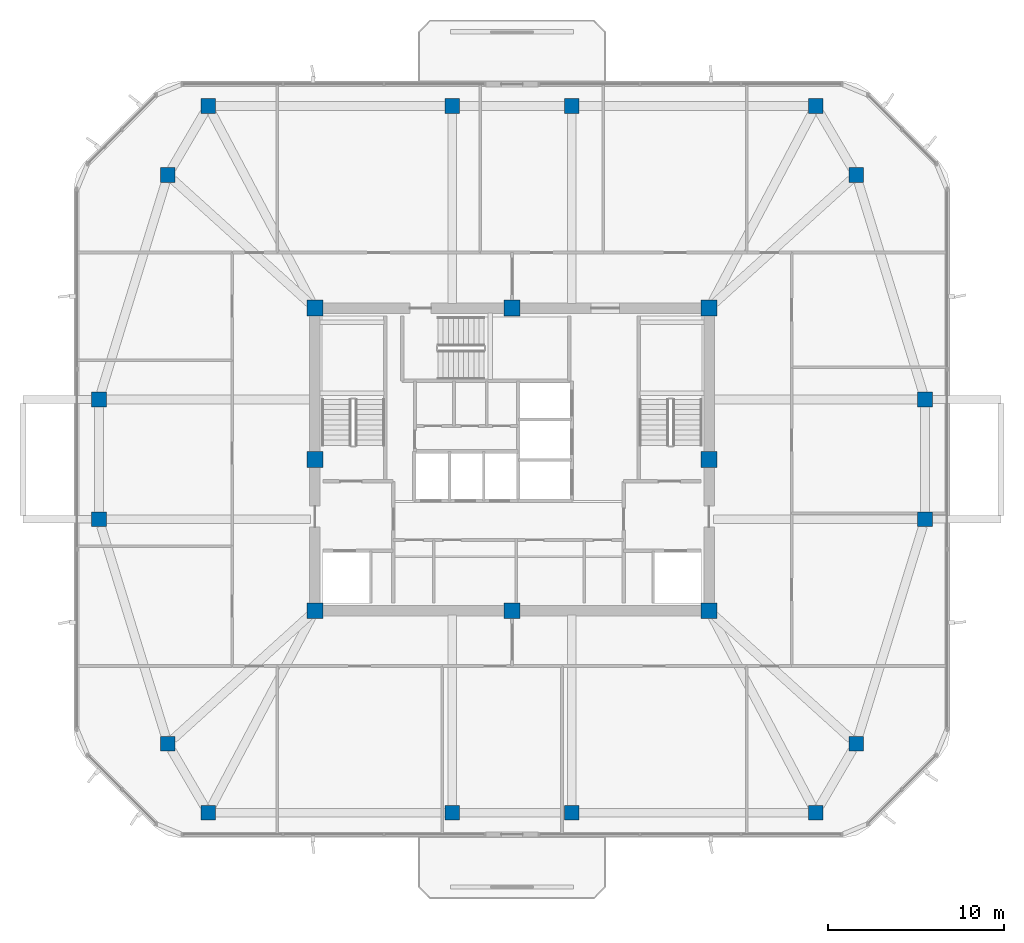
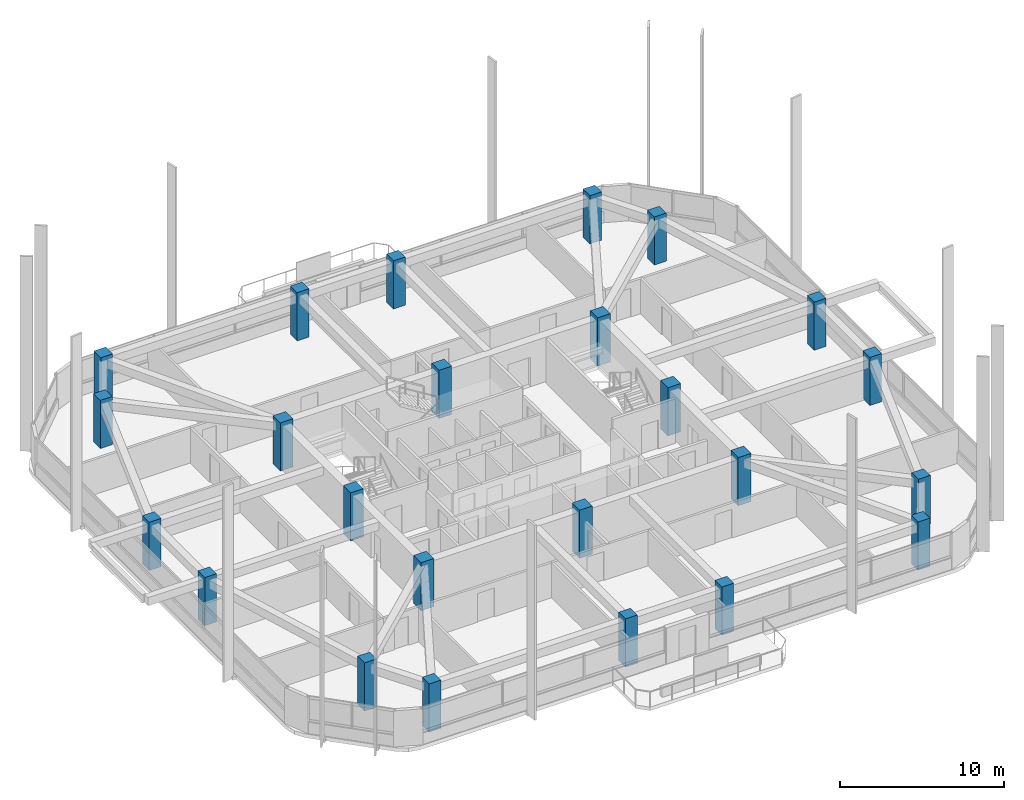
# One storey, part 1 of 13: 24 columns.
"""IFC4 building model written with IfcOpenShell, lengths in metres."""

from ifc_helpers import new_model, si_unit, derived_unit, direction, frame, origin, origin_2d, place, context, subcontext, project, spatial, rectangle, extrude, material, material_profile, profile_set, type_object, element, save


model = new_model("IFC4")

# Units and contexts
model_context = context("Model", 3, precision=1e-05, world=origin(), true_north=direction((0.0, 1.0)))
body_context = subcontext(model_context, "Body", "Model", "MODEL_VIEW")
ifc_project = project(units=[si_unit("LENGTHUNIT", "METRE"), si_unit("AREAUNIT", "SQUARE_METRE"), si_unit("VOLUMEUNIT", "CUBIC_METRE"), si_unit("PLANEANGLEUNIT", "RADIAN"), si_unit("MASSUNIT", "GRAM", prefix="KILO"), derived_unit("THERMALTRANSMITTANCEUNIT", [(si_unit("POWERUNIT", "WATT"), 1), (si_unit("LENGTHUNIT", "METRE"), -2), (si_unit("THERMODYNAMICTEMPERATUREUNIT", "KELVIN"), -1)])], contexts=[model_context])

# Site, building, storey
site_placement = place(None, origin())
site = spatial("IfcSite", under=ifc_project, at=site_placement, CompositionType="ELEMENT")
building_placement = place(site_placement, origin())
building = spatial("IfcBuilding", under=site, at=building_placement, Name="Koralith Skygarden Medical Center", CompositionType="ELEMENT")
storey_placement = place(building_placement, frame((0.0, 0.0, 253.6201171875)))
storey = spatial("IfcBuildingStorey", under=building, at=storey_placement, Name="L65", CompositionType="ELEMENT", Elevation=253.6201171875)

# Columns
ifc_material = material(Name="Concrete C55/67", Category="concrete")
ifc_material_profile_1 = material_profile(ifc_material, rectangle(XDim=0.89990234375, YDim=0.89990234375, at=origin_2d()), Name="RC900X900")
ifc_profile_set_1 = profile_set([ifc_material_profile_1], Name="Concrete C55/67")
column_type_1 = type_object("IfcColumnType", Name="Core Column C55 RC900", PredefinedType="COLUMN", material=ifc_profile_set_1)
for number, where, z_axis, x_axis, name in (
    (1, (25.800048828125, 17.300048828125, 0.0), (0.0, 0.0, 1.0), (1.0, 0.0, 0.0), "L65 Core Column CC-01"),
    (2, (37.0, 17.300048828125, 0.0), (0.0, 0.0, 1.0), (1.0, 0.0, 0.0), "L65 Core Column CC-02"),
    (3, (48.199951171875, 17.300048828125, 0.0), (0.0, 0.0, 1.0), (1.0, 0.0, 0.0), "L65 Core Column CC-03"),
    (4, (48.199951171875, 25.89990234375, 0.0), (0.0, 0.0, 1.0), (1.0, 0.0, 0.0), "L65 Core Column CC-04"),
    (5, (48.199951171875, 34.5, 0.0), (0.0, 0.0, 1.0), (1.0, 0.0, 0.0), "L65 Core Column CC-05"),
    (6, (37.0, 34.5, 0.0), (0.0, 0.0, 1.0), (1.0, 0.0, 0.0), "L65 Core Column CC-06"),
    (7, (25.800048828125, 34.5, 0.0), (0.0, 0.0, 1.0), (1.0, 0.0, 0.0), "L65 Core Column CC-07"),
    (8, (25.800048828125, 25.89990234375, 0.0), (0.0, 0.0, 1.0), (1.0, 0.0, 0.0), "L65 Core Column CC-08"),
):
    element("IfcColumn", number, at=place(storey_placement, frame(where, z_axis=z_axis, x_axis=x_axis)), inside=storey, type_object=column_type_1, Name=name, PredefinedType="COLUMN", context=body_context, shape_type="SweptSolid", body=[
        extrude(rectangle(XDim=0.89990234375, YDim=0.89990234375, at=origin_2d()), origin(), (0.0, 0.0, 1.0), 3.599853515625),
    ])
ifc_material_profile_2 = material_profile(ifc_material, rectangle(XDim=0.840087890625, YDim=0.840087890625, at=origin_2d()), Name="RC840X840")
ifc_profile_set_2 = profile_set([ifc_material_profile_2], Name="Concrete C55/67")
column_type_2 = type_object("IfcColumnType", Name="Zone 5 Upper Mega-Column C55 RC840", PredefinedType="COLUMN", material=ifc_profile_set_2)
for number, where, z_axis, x_axis, name in (
    (9, (13.52001953125, 22.5, 0.0), (0.0, 0.0, 1.0), (1.0, 0.0, 0.0), "L65 Perimeter Mega-Column MC-01"),
    (10, (17.43994140625, 9.739990234375, 0.0), (0.0, 0.0, 1.0), (1.0, 0.0, 0.0), "L65 Perimeter Mega-Column MC-02"),
    (11, (19.73193359375, 5.820068359375, 0.0), (0.0, 0.0, 1.0), (1.0, 0.0, 0.0), "L65 Perimeter Mega-Column MC-03"),
    (12, (33.60009765625, 5.820068359375, 0.0), (0.0, 0.0, 1.0), (1.0, 0.0, 0.0), "L65 Perimeter Mega-Column MC-04"),
    (13, (40.39990234375, 5.820068359375, 0.0), (0.0, 0.0, 1.0), (1.0, 0.0, 0.0), "L65 Perimeter Mega-Column MC-05"),
    (14, (54.26806640625, 5.820068359375, 0.0), (0.0, 0.0, 1.0), (1.0, 0.0, 0.0), "L65 Perimeter Mega-Column MC-06"),
    (15, (56.56005859375, 9.739990234375, 0.0), (0.0, 0.0, 1.0), (1.0, 0.0, 0.0), "L65 Perimeter Mega-Column MC-07"),
    (16, (60.47998046875, 22.5, 0.0), (0.0, 0.0, 1.0), (1.0, 0.0, 0.0), "L65 Perimeter Mega-Column MC-08"),
    (17, (60.47998046875, 29.300048828125, 0.0), (0.0, 0.0, 1.0), (1.0, 0.0, 0.0), "L65 Perimeter Mega-Column MC-09"),
    (18, (56.56005859375, 42.06005859375, 0.0), (0.0, 0.0, 1.0), (1.0, 0.0, 0.0), "L65 Perimeter Mega-Column MC-10"),
    (19, (54.26806640625, 45.97998046875, 0.0), (0.0, 0.0, 1.0), (1.0, 0.0, 0.0), "L65 Perimeter Mega-Column MC-11"),
    (20, (40.39990234375, 45.97998046875, 0.0), (0.0, 0.0, 1.0), (1.0, 0.0, 0.0), "L65 Perimeter Mega-Column MC-12"),
    (21, (33.60009765625, 45.97998046875, 0.0), (0.0, 0.0, 1.0), (1.0, 0.0, 0.0), "L65 Perimeter Mega-Column MC-13"),
    (22, (19.73193359375, 45.97998046875, 0.0), (0.0, 0.0, 1.0), (1.0, 0.0, 0.0), "L65 Perimeter Mega-Column MC-14"),
    (23, (17.43994140625, 42.06005859375, 0.0), (0.0, 0.0, 1.0), (1.0, 0.0, 0.0), "L65 Perimeter Mega-Column MC-15"),
    (24, (13.52001953125, 29.300048828125, 0.0), (0.0, 0.0, 1.0), (1.0, 0.0, 0.0), "L65 Perimeter Mega-Column MC-16"),
):
    element("IfcColumn", number, at=place(storey_placement, frame(where, z_axis=z_axis, x_axis=x_axis)), inside=storey, type_object=column_type_2, Name=name, PredefinedType="COLUMN", context=body_context, shape_type="SweptSolid", body=[
        extrude(rectangle(XDim=0.840087890625, YDim=0.840087890625, at=origin_2d()), origin(), (0.0, 0.0, 1.0), 3.599853515625),
    ])

save(model, "model.ifc")
